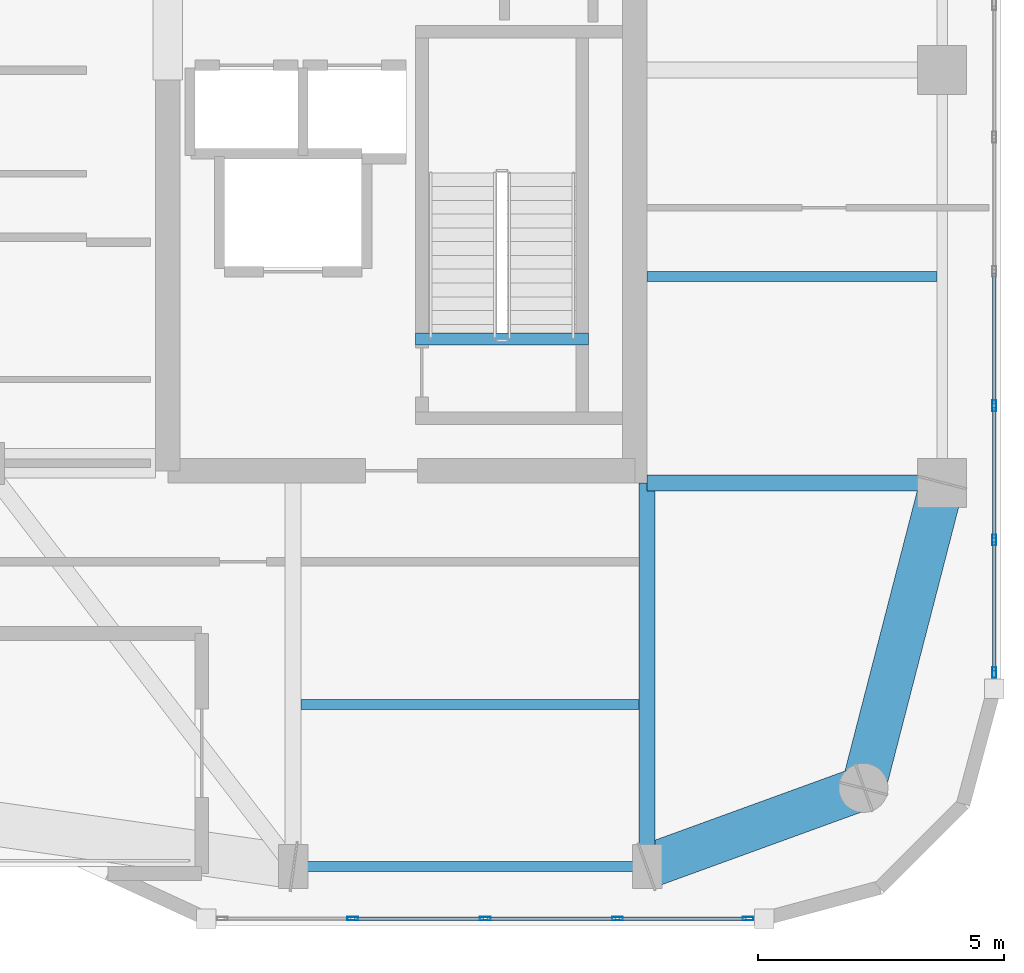
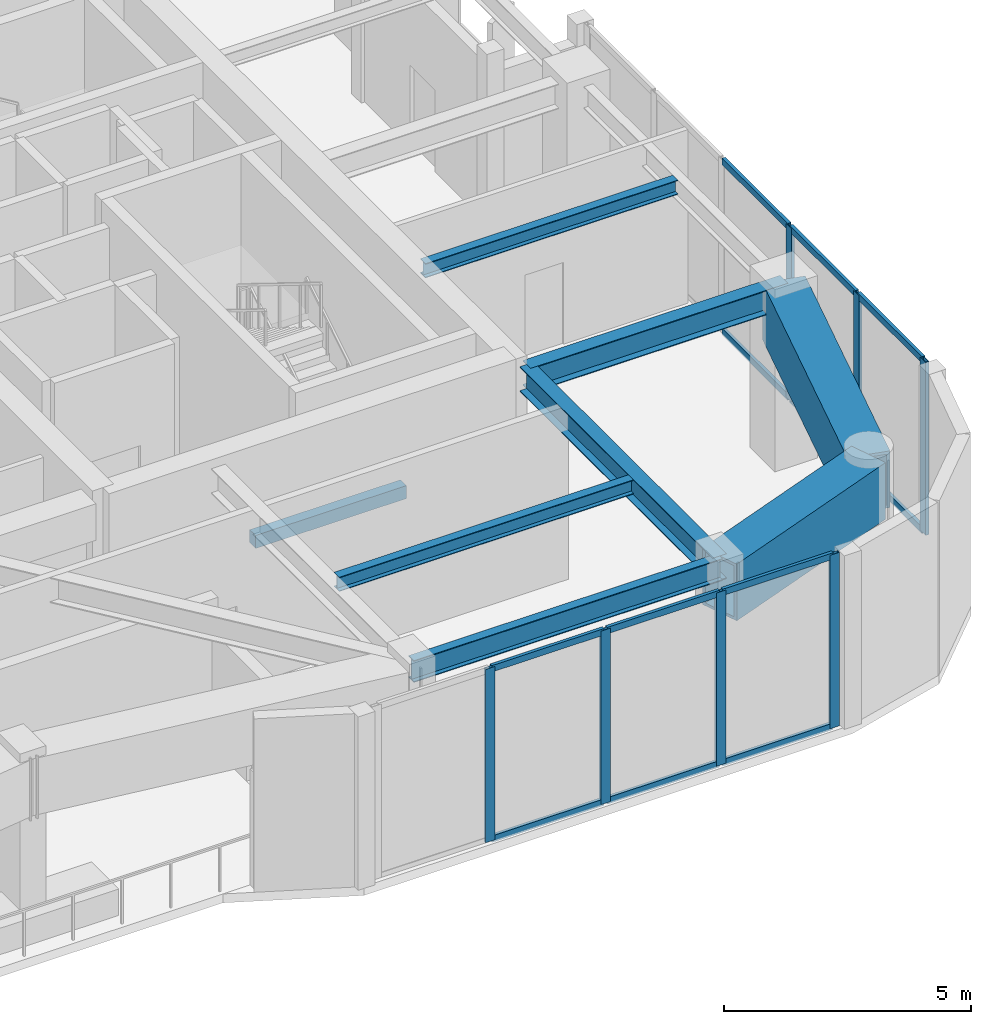
# One storey, part 4 of 14: 19 members, 8 beams, 2 elements without a shape of their own.
"""IFC4 building model written with IfcOpenShell, lengths in metres."""

from ifc_helpers import new_model, si_unit, direction, frame, origin, origin_2d, place, context, subcontext, project, spatial, rectangle, hollow_rectangle, i_section, extrude, material, layer, layer_set, material_profile, profile_set, type_object, element, aggregate, save


model = new_model("IFC4")

# Units and contexts
model_context = context("Model", 3, precision=1e-05, world=origin(), true_north=direction((0.0, 1.0)))
body_context = subcontext(model_context, "Body", "Model", "MODEL_VIEW")
ifc_project = project(units=[si_unit("LENGTHUNIT", "METRE"), si_unit("AREAUNIT", "SQUARE_METRE"), si_unit("VOLUMEUNIT", "CUBIC_METRE"), si_unit("PLANEANGLEUNIT", "RADIAN"), si_unit("MASSUNIT", "GRAM", prefix="KILO")], contexts=[model_context])

# Site, building, storey
site_placement = place(None, origin())
site = spatial("IfcSite", under=ifc_project, at=site_placement, CompositionType="ELEMENT")
building_placement = place(site_placement, origin())
building = spatial("IfcBuilding", under=site, at=building_placement, Name="Kiyonajd Concourse Tower", CompositionType="ELEMENT")
storey_placement = place(building_placement, frame((0.0, 0.0, 294.0)))
storey = spatial("IfcBuildingStorey", under=building, at=storey_placement, Name="L74", CompositionType="ELEMENT", Elevation=294.0)

# Beams
ifc_material_1 = material(Name="Steel ASTM A992 Grade 50", Category="steel")
ifc_material_profile_1 = material_profile(ifc_material_1, i_section(OverallWidth=0.205078125, OverallDepth=0.35400390625, WebThickness=0.009521484375, FlangeThickness=0.016845703125, at=origin_2d()), Name="W360X79")
ifc_profile_set_1 = profile_set([ifc_material_profile_1], Name="Steel ASTM A992 Grade 50")
beam_type_1 = type_object("IfcBeamType", Name="BM-JST-360", PredefinedType="JOIST", material=ifc_profile_set_1)
beam_1_placement = place(storey_placement, frame((56.56201171875, 23.10009765625, 4.10302734375), z_axis=(1.0, 0.0, 0.0), x_axis=(0.0, 1.0, 0.0)))
element("IfcBeam", 1, at=beam_1_placement, inside=storey, type_object=beam_type_1, Name="L74 Secondary Floor Joist", PredefinedType="JOIST", context=body_context, shape_type="SweptSolid", body=[
    extrude(i_section(OverallWidth=0.205078125, OverallDepth=0.35400390625, WebThickness=0.009521484375, FlangeThickness=0.016845703125, at=origin_2d()), origin(), (0.0, 0.0, 1.0), 6.8759765625),
])
beam_2_placement = place(storey_placement, frame((63.60009765625, 31.800048828125, 4.10302734375), z_axis=(1.0, 0.0, 0.0), x_axis=(0.0, 1.0, 0.0)))
element("IfcBeam", 2, at=beam_2_placement, inside=storey, type_object=beam_type_1, Name="L74 East Secondary Floor Joist", PredefinedType="JOIST", context=body_context, shape_type="SweptSolid", body=[
    extrude(i_section(OverallWidth=0.205078125, OverallDepth=0.35400390625, WebThickness=0.009521484375, FlangeThickness=0.016845703125, at=origin_2d()), origin(), (0.0, 0.0, 1.0), 5.894287109375),
])
ifc_material_2 = material(Name="Concrete C50/60", Category="concrete")
ifc_material_profile_2 = material_profile(ifc_material_2, rectangle(XDim=0.239990234375, YDim=0.320068359375, at=origin_2d()), Name="RCBM-240x320")
ifc_profile_set_2 = profile_set([ifc_material_profile_2], Name="Concrete C50/60")
beam_type_2 = type_object("IfcBeamType", Name="BM-LNT-250", PredefinedType="LINTEL", material=ifc_profile_set_2)
beam_3_placement = place(storey_placement, frame((58.889892578125, 30.530029296875, -0.159912109375), z_axis=(1.0, 0.0, 0.0), x_axis=(0.0, 1.0, 0.0)))
element("IfcBeam", 3, at=beam_3_placement, inside=storey, type_object=beam_type_2, Name="L74 Stair ST2 Threshold Support Beam", PredefinedType="LINTEL", context=body_context, shape_type="SweptSolid", body=[
    extrude(rectangle(XDim=0.239990234375, YDim=0.320068359375, at=origin_2d()), origin(), (0.0, 0.0, 1.0), 3.52001953125),
])
ifc_material_profile_3 = material_profile(ifc_material_1, i_section(OverallWidth=0.2109375, OverallDepth=0.5390625, WebThickness=0.01171875, FlangeThickness=0.018798828125, at=origin_2d()), Name="W530X109")
ifc_profile_set_3 = profile_set([ifc_material_profile_3], Name="Steel ASTM A992 Grade 50")
beam_type_3 = type_object("IfcBeamType", Name="BM-SPAN-530B", PredefinedType="SPANDREL", material=ifc_profile_set_3)
beam_4_placement = place(storey_placement, frame((56.39990234375, 19.800048828125, 4.010498046875), z_axis=(1.0, 0.0, 0.0), x_axis=(0.0, 1.0, 0.0)))
element("IfcBeam", 4, at=beam_4_placement, inside=storey, type_object=beam_type_3, Name="L74 Perimeter Bundled Tube Spandrel", PredefinedType="SPANDREL", context=body_context, shape_type="SweptSolid", body=[
    extrude(i_section(OverallWidth=0.2109375, OverallDepth=0.5390625, WebThickness=0.01171875, FlangeThickness=0.018798828125, at=origin_2d()), origin(), (0.0, 0.0, 1.0), 7.2001953125),
])
ifc_material_profile_4 = material_profile(ifc_material_1, i_section(OverallWidth=0.323974609375, OverallDepth=0.611083984375, WebThickness=0.0126953125, FlangeThickness=0.01904296875, at=origin_2d()), Name="W610X155")
ifc_profile_set_4 = profile_set([ifc_material_profile_4], Name="Steel ASTM A992 Grade 50")
beam_type_4 = type_object("IfcBeamType", Name="BM-TWR-610B", PredefinedType="BEAM", material=ifc_profile_set_4)
beam_5_placement = place(storey_placement, frame((63.60009765625, 19.800048828125, 3.974609375), z_axis=(0.0, 1.0, 0.0), x_axis=(-1.0, 0.0, 0.0)))
element("IfcBeam", 5, at=beam_5_placement, inside=storey, type_object=beam_type_4, Name="L74 South Lease Girder", PredefinedType="BEAM", context=body_context, shape_type="SweptSolid", body=[
    extrude(i_section(OverallWidth=0.323974609375, OverallDepth=0.611083984375, WebThickness=0.0126953125, FlangeThickness=0.01904296875, at=origin_2d()), origin(), (0.0, 0.0, 1.0), 7.800048828125),
])
beam_6_placement = place(storey_placement, frame((63.60009765625, 27.60009765625, 3.974609375), z_axis=(1.0, 0.0, 0.0), x_axis=(0.0, 1.0, 0.0)))
element("IfcBeam", 6, at=beam_6_placement, inside=storey, type_object=beam_type_4, Name="L74 East Lease Girder", PredefinedType="BEAM", context=body_context, shape_type="SweptSolid", body=[
    extrude(i_section(OverallWidth=0.323974609375, OverallDepth=0.611083984375, WebThickness=0.0126953125, FlangeThickness=0.01904296875, at=origin_2d()), origin(), (0.0, 0.0, 1.0), 6.0),
])
ifc_material_3 = material(Name="Steel ASTM A572 Grade 50", Category="steel")
ifc_material_profile_5 = material_profile(ifc_material_3, hollow_rectangle(XDim=0.89990234375, YDim=1.39990234375, WallThickness=0.070068359375, at=origin_2d()), Name="BOX-1400x900x70")
ifc_profile_set_5 = profile_set([ifc_material_profile_5], Name="Steel ASTM A572 Grade 50")
beam_type_5 = type_object("IfcBeamType", Name="BM-XFER-1400", PredefinedType="BEAM", material=ifc_profile_set_5)
beam_7_placement = place(storey_placement, frame((63.60009765625, 19.800048828125, 3.580078125), z_axis=(0.939801036019, 0.341722127901, 0.0), x_axis=(-0.341722127901, 0.939801036019, 0.0)))
element("IfcBeam", 7, at=beam_7_placement, inside=storey, type_object=beam_type_5, Name="L74 Perimeter Bundled Tube Spandrel", PredefinedType="BEAM", context=body_context, shape_type="SweptSolid", body=[
    extrude(hollow_rectangle(XDim=0.89990234375, YDim=1.39990234375, WallThickness=0.070068359375, at=origin_2d()), origin(), (0.0, 0.0, 1.0), 4.681640625),
])
beam_8_placement = place(storey_placement, frame((68.0, 21.39990234375, 3.580078125), z_axis=(0.249884937687, 0.968275538221, 0.0), x_axis=(-0.968275538221, 0.249884937687, 0.0)))
element("IfcBeam", 8, at=beam_8_placement, inside=storey, type_object=beam_type_5, Name="L74 Perimeter Bundled Tube Spandrel", PredefinedType="BEAM", context=body_context, shape_type="SweptSolid", body=[
    extrude(hollow_rectangle(XDim=0.89990234375, YDim=1.39990234375, WallThickness=0.070068359375, at=origin_2d()), origin(), (0.0, 0.0, 1.0), 6.4033203125),
])

# Curtain wall, members
ifc_material_4 = material(Name="Thermally Broken Anodised Aluminium", Category="aluminium")
ifc_layer = layer(ifc_material_4, 0.179931640625)
ifc_layer_set = layer_set([ifc_layer], Name="Thermally Broken Anodised Aluminium")
curtain_wall_type = type_object("IfcCurtainWallType", Name="CW-SYS-05", PredefinedType="NOTDEFINED", material=ifc_layer_set)
curtain_wall_1_placement = place(storey_placement, origin())
curtain_wall_1 = element("IfcCurtainWall", 9, at=curtain_wall_1_placement, inside=storey, type_object=curtain_wall_type, Name="L74 Unitised Curtain Wall CW5", PredefinedType="NOTDEFINED")
ifc_material_profile_6 = material_profile(ifc_material_4, hollow_rectangle(XDim=0.074951171875, YDim=0.219970703125, WallThickness=0.0048828125, at=origin_2d()), Name="MULL-75x220")
ifc_profile_set_6 = profile_set([ifc_material_profile_6], Name="Thermally Broken Anodised Aluminium")
member_type_1 = type_object("IfcMemberType", Name="MB-CW-MULL2", PredefinedType="MULLION", material=ifc_profile_set_6)
member_1_placement = place(storey_placement, frame((70.659912109375, 29.173095703125, 0.0), z_axis=(0.0, 0.0, 1.0), x_axis=(1.0, 0.0, 0.0)))
member_1 = element("IfcMember", 10, at=member_1_placement, type_object=member_type_1, Name="CW5 mullion 4", PredefinedType="MULLION", context=body_context, shape_type="SweptSolid", body=[
    extrude(hollow_rectangle(XDim=0.074951171875, YDim=0.219970703125, WallThickness=0.0048828125, at=origin_2d()), origin(), (0.0, 0.0, 1.0), 4.280029296875),
])
member_2_placement = place(storey_placement, frame((70.659912109375, 26.440673828125, 0.0), z_axis=(0.0, 0.0, 1.0), x_axis=(1.0, 0.0, 0.0)))
member_2 = element("IfcMember", 11, at=member_2_placement, type_object=member_type_1, Name="CW5 mullion 5", PredefinedType="MULLION", context=body_context, shape_type="SweptSolid", body=[
    extrude(hollow_rectangle(XDim=0.074951171875, YDim=0.219970703125, WallThickness=0.0048828125, at=origin_2d()), origin(), (0.0, 0.0, 1.0), 4.280029296875),
])
member_3_placement = place(storey_placement, frame((70.659912109375, 23.745849609375, 0.0), z_axis=(0.0, 0.0, 1.0), x_axis=(1.0, 0.0, 0.0)))
member_3 = element("IfcMember", 12, at=member_3_placement, type_object=member_type_1, Name="CW5 mullion 6", PredefinedType="MULLION", context=body_context, shape_type="SweptSolid", body=[
    extrude(hollow_rectangle(XDim=0.074951171875, YDim=0.219970703125, WallThickness=0.0048828125, at=origin_2d()), origin(), (0.0, 0.0, 1.0), 4.280029296875),
])

curtain_wall_2_placement = place(storey_placement, origin())
curtain_wall_2 = element("IfcCurtainWall", 13, at=curtain_wall_2_placement, inside=storey, type_object=curtain_wall_type, Name="L74 Unitised Curtain Wall CW5", PredefinedType="NOTDEFINED")
member_4_placement = place(storey_placement, frame((65.654052734375, 18.739990234375, 0.0), z_axis=(0.0, 0.0, 1.0), x_axis=(0.0, -1.0, 0.0)))
member_4 = element("IfcMember", 14, at=member_4_placement, type_object=member_type_1, Name="CW5 mullion 1", PredefinedType="MULLION", context=body_context, shape_type="SweptSolid", body=[
    extrude(hollow_rectangle(XDim=0.074951171875, YDim=0.219970703125, WallThickness=0.0048828125, at=origin_2d()), origin(), (0.0, 0.0, 1.0), 4.280029296875),
])
member_5_placement = place(storey_placement, frame((62.998779296875, 18.739990234375, 0.0), z_axis=(0.0, 0.0, 1.0), x_axis=(0.0, -1.0, 0.0)))
member_5 = element("IfcMember", 15, at=member_5_placement, type_object=member_type_1, Name="CW5 mullion 2", PredefinedType="MULLION", context=body_context, shape_type="SweptSolid", body=[
    extrude(hollow_rectangle(XDim=0.074951171875, YDim=0.219970703125, WallThickness=0.0048828125, at=origin_2d()), origin(), (0.0, 0.0, 1.0), 4.280029296875),
])
member_6_placement = place(storey_placement, frame((60.30615234375, 18.739990234375, 0.0), z_axis=(0.0, 0.0, 1.0), x_axis=(0.0, -1.0, 0.0)))
member_6 = element("IfcMember", 16, at=member_6_placement, type_object=member_type_1, Name="CW5 mullion 3", PredefinedType="MULLION", context=body_context, shape_type="SweptSolid", body=[
    extrude(hollow_rectangle(XDim=0.074951171875, YDim=0.219970703125, WallThickness=0.0048828125, at=origin_2d()), origin(), (0.0, 0.0, 1.0), 4.280029296875),
])
member_7_placement = place(storey_placement, frame((57.613525390625, 18.739990234375, 0.0), z_axis=(0.0, 0.0, 1.0), x_axis=(0.0, -1.0, 0.0)))
member_7 = element("IfcMember", 17, at=member_7_placement, type_object=member_type_1, Name="CW5 mullion 4", PredefinedType="MULLION", context=body_context, shape_type="SweptSolid", body=[
    extrude(hollow_rectangle(XDim=0.074951171875, YDim=0.219970703125, WallThickness=0.0048828125, at=origin_2d()), origin(), (0.0, 0.0, 1.0), 4.280029296875),
])

# Member
ifc_material_profile_7 = material_profile(ifc_material_4, hollow_rectangle(XDim=0.074951171875, YDim=0.159912109375, WallThickness=0.0048828125, at=origin_2d()), Name="TRAN-75x160")
ifc_profile_set_7 = profile_set([ifc_material_profile_7], Name="Thermally Broken Anodised Aluminium")
member_type_2 = type_object("IfcMemberType", Name="MB-CW-TRAN2", PredefinedType="USERDEFINED", material=ifc_profile_set_7)
member_8_placement = place(storey_placement, frame((70.659912109375, 31.867919921875, 0.03759765625), z_axis=(0.0, -1.0, 0.0), x_axis=(1.0, 0.0, 0.0)))
member_8 = element("IfcMember", 18, at=member_8_placement, type_object=member_type_2, Name="CW5 transom 3.1", ObjectType="TRANSOM", PredefinedType="USERDEFINED", context=body_context, shape_type="SweptSolid", body=[
    extrude(hollow_rectangle(XDim=0.074951171875, YDim=0.159912109375, WallThickness=0.0048828125, at=origin_2d()), origin(), (0.0, 0.0, 1.0), 2.657470703125),
])

member_9_placement = place(storey_placement, frame((70.659912109375, 31.867919921875, 4.242431640625), z_axis=(0.0, -1.0, 0.0), x_axis=(1.0, 0.0, 0.0)))
member_9 = element("IfcMember", 19, at=member_9_placement, type_object=member_type_2, Name="CW5 transom 3.2", ObjectType="TRANSOM", PredefinedType="USERDEFINED", context=body_context, shape_type="SweptSolid", body=[
    extrude(hollow_rectangle(XDim=0.074951171875, YDim=0.159912109375, WallThickness=0.0048828125, at=origin_2d()), origin(), (0.0, 0.0, 1.0), 2.657470703125),
])

member_10_placement = place(storey_placement, frame((70.659912109375, 29.135498046875, 0.03759765625), z_axis=(0.0, -1.0, 0.0), x_axis=(1.0, 0.0, 0.0)))
member_10 = element("IfcMember", 20, at=member_10_placement, type_object=member_type_2, Name="CW5 transom 4.1", ObjectType="TRANSOM", PredefinedType="USERDEFINED", context=body_context, shape_type="SweptSolid", body=[
    extrude(hollow_rectangle(XDim=0.074951171875, YDim=0.159912109375, WallThickness=0.0048828125, at=origin_2d()), origin(), (0.0, 0.0, 1.0), 2.6572265625),
])

member_11_placement = place(storey_placement, frame((70.659912109375, 29.135498046875, 4.242431640625), z_axis=(0.0, -1.0, 0.0), x_axis=(1.0, 0.0, 0.0)))
member_11 = element("IfcMember", 21, at=member_11_placement, type_object=member_type_2, Name="CW5 transom 4.2", ObjectType="TRANSOM", PredefinedType="USERDEFINED", context=body_context, shape_type="SweptSolid", body=[
    extrude(hollow_rectangle(XDim=0.074951171875, YDim=0.159912109375, WallThickness=0.0048828125, at=origin_2d()), origin(), (0.0, 0.0, 1.0), 2.6572265625),
])

member_12_placement = place(storey_placement, frame((70.659912109375, 26.4033203125, 0.03759765625), z_axis=(0.0, -1.0, 0.0), x_axis=(1.0, 0.0, 0.0)))
member_12 = element("IfcMember", 22, at=member_12_placement, type_object=member_type_2, Name="CW5 transom 5.1", ObjectType="TRANSOM", PredefinedType="USERDEFINED", context=body_context, shape_type="SweptSolid", body=[
    extrude(hollow_rectangle(XDim=0.074951171875, YDim=0.159912109375, WallThickness=0.0048828125, at=origin_2d()), origin(), (0.0, 0.0, 1.0), 2.619873046875),
])

member_13_placement = place(storey_placement, frame((70.659912109375, 26.4033203125, 4.242431640625), z_axis=(0.0, -1.0, 0.0), x_axis=(1.0, 0.0, 0.0)))
member_13 = element("IfcMember", 23, at=member_13_placement, type_object=member_type_2, Name="CW5 transom 5.2", ObjectType="TRANSOM", PredefinedType="USERDEFINED", context=body_context, shape_type="SweptSolid", body=[
    extrude(hollow_rectangle(XDim=0.074951171875, YDim=0.159912109375, WallThickness=0.0048828125, at=origin_2d()), origin(), (0.0, 0.0, 1.0), 2.619873046875),
])

aggregate(curtain_wall_1, [member_1, member_2, member_3, member_8, member_9, member_10, member_11, member_12, member_13])

member_14_placement = place(storey_placement, frame((65.61669921875, 18.739990234375, 0.03759765625), z_axis=(-1.0, 0.0, 0.0), x_axis=(0.0, -1.0, 0.0)))
member_14 = element("IfcMember", 24, at=member_14_placement, type_object=member_type_2, Name="CW5 transom 1.1", ObjectType="TRANSOM", PredefinedType="USERDEFINED", context=body_context, shape_type="SweptSolid", body=[
    extrude(hollow_rectangle(XDim=0.074951171875, YDim=0.159912109375, WallThickness=0.0048828125, at=origin_2d()), origin(), (0.0, 0.0, 1.0), 2.580322265625),
])

member_15_placement = place(storey_placement, frame((65.61669921875, 18.739990234375, 4.242431640625), z_axis=(-1.0, 0.0, 0.0), x_axis=(0.0, -1.0, 0.0)))
member_15 = element("IfcMember", 25, at=member_15_placement, type_object=member_type_2, Name="CW5 transom 1.2", ObjectType="TRANSOM", PredefinedType="USERDEFINED", context=body_context, shape_type="SweptSolid", body=[
    extrude(hollow_rectangle(XDim=0.074951171875, YDim=0.159912109375, WallThickness=0.0048828125, at=origin_2d()), origin(), (0.0, 0.0, 1.0), 2.580322265625),
])

member_16_placement = place(storey_placement, frame((62.96142578125, 18.739990234375, 0.03759765625), z_axis=(-1.0, 0.0, 0.0), x_axis=(0.0, -1.0, 0.0)))
member_16 = element("IfcMember", 26, at=member_16_placement, type_object=member_type_2, Name="CW5 transom 2.1", ObjectType="TRANSOM", PredefinedType="USERDEFINED", context=body_context, shape_type="SweptSolid", body=[
    extrude(hollow_rectangle(XDim=0.074951171875, YDim=0.159912109375, WallThickness=0.0048828125, at=origin_2d()), origin(), (0.0, 0.0, 1.0), 2.61767578125),
])

member_17_placement = place(storey_placement, frame((62.96142578125, 18.739990234375, 4.242431640625), z_axis=(-1.0, 0.0, 0.0), x_axis=(0.0, -1.0, 0.0)))
member_17 = element("IfcMember", 27, at=member_17_placement, type_object=member_type_2, Name="CW5 transom 2.2", ObjectType="TRANSOM", PredefinedType="USERDEFINED", context=body_context, shape_type="SweptSolid", body=[
    extrude(hollow_rectangle(XDim=0.074951171875, YDim=0.159912109375, WallThickness=0.0048828125, at=origin_2d()), origin(), (0.0, 0.0, 1.0), 2.61767578125),
])

member_18_placement = place(storey_placement, frame((60.2685546875, 18.739990234375, 0.03759765625), z_axis=(-1.0, 0.0, 0.0), x_axis=(0.0, -1.0, 0.0)))
member_18 = element("IfcMember", 28, at=member_18_placement, type_object=member_type_2, Name="CW5 transom 3.1", ObjectType="TRANSOM", PredefinedType="USERDEFINED", context=body_context, shape_type="SweptSolid", body=[
    extrude(hollow_rectangle(XDim=0.074951171875, YDim=0.159912109375, WallThickness=0.0048828125, at=origin_2d()), origin(), (0.0, 0.0, 1.0), 2.61767578125),
])

member_19_placement = place(storey_placement, frame((60.2685546875, 18.739990234375, 4.242431640625), z_axis=(-1.0, 0.0, 0.0), x_axis=(0.0, -1.0, 0.0)))
member_19 = element("IfcMember", 29, at=member_19_placement, type_object=member_type_2, Name="CW5 transom 3.2", ObjectType="TRANSOM", PredefinedType="USERDEFINED", context=body_context, shape_type="SweptSolid", body=[
    extrude(hollow_rectangle(XDim=0.074951171875, YDim=0.159912109375, WallThickness=0.0048828125, at=origin_2d()), origin(), (0.0, 0.0, 1.0), 2.61767578125),
])

aggregate(curtain_wall_2, [member_4, member_5, member_6, member_7, member_14, member_15, member_16, member_17, member_18, member_19])

save(model, "model.ifc")
